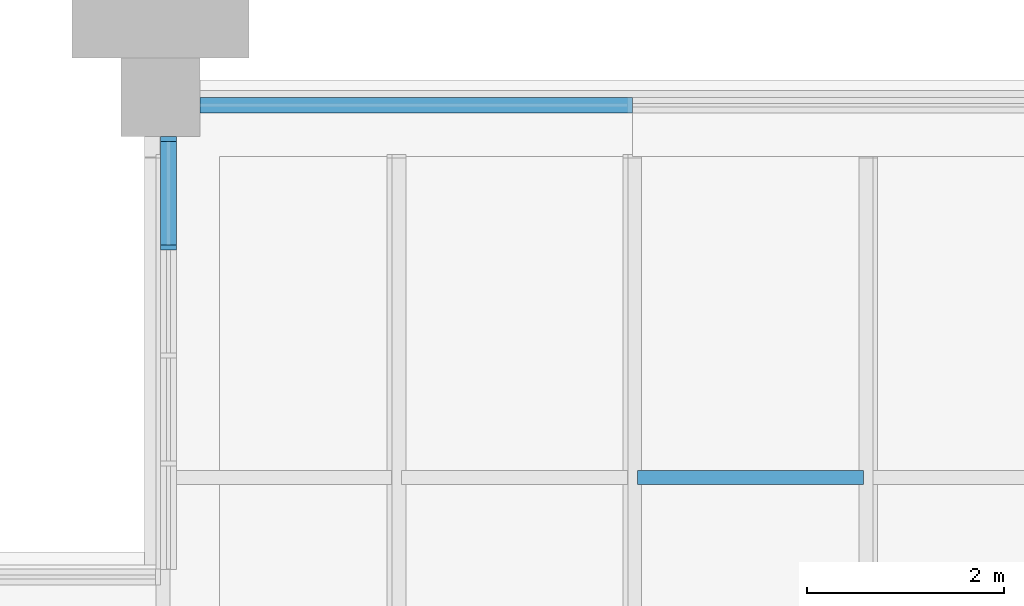
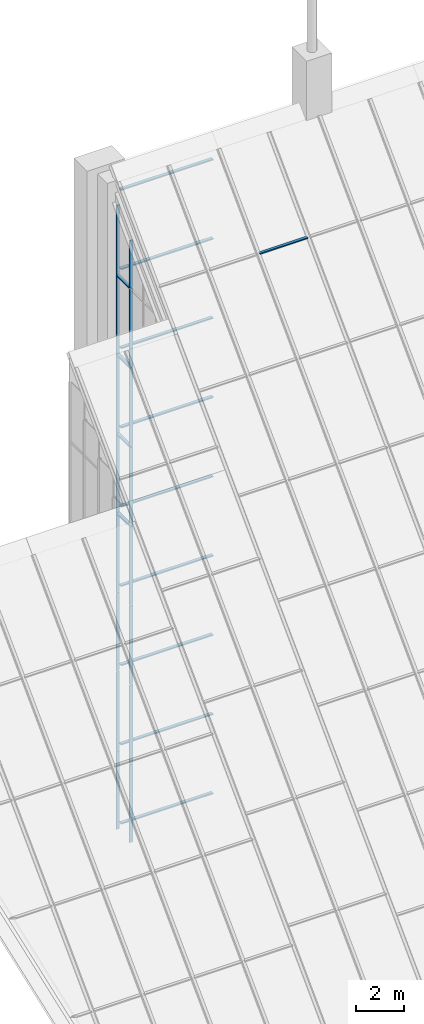
# One storey, part 8 of 25: 30 members, 26 elements without a shape of their own.
"""IFC4 building model written with IfcOpenShell, lengths in metres."""

from ifc_helpers import new_model, si_unit, direction, frame, origin, origin_2d, place, context, subcontext, project, spatial, rectangle, extrude, material, material_profile, profile_set, type_object, element, aggregate, save


model = new_model("IFC4")

# Units and contexts
model_context = context("Model", 3, precision=1e-05, world=origin(), true_north=direction((0.0, 1.0)))
body_context = subcontext(model_context, "Body", "Model", "MODEL_VIEW")
ifc_project = project(units=[si_unit("LENGTHUNIT", "METRE"), si_unit("AREAUNIT", "SQUARE_METRE"), si_unit("VOLUMEUNIT", "CUBIC_METRE"), si_unit("PLANEANGLEUNIT", "RADIAN"), si_unit("MASSUNIT", "GRAM", prefix="KILO")], contexts=[model_context])

# Site, building, storey
site_placement = place(None, origin())
site = spatial("IfcSite", under=ifc_project, at=site_placement, CompositionType="ELEMENT")
building_placement = place(site_placement, origin())
building = spatial("IfcBuilding", under=site, at=building_placement, Name="Baori Bourse Tower", CompositionType="ELEMENT")
storey_placement = place(building_placement, frame((0.0, 0.0, 378.300048828125)))
storey = spatial("IfcBuildingStorey", under=building, at=storey_placement, Name="Roof", CompositionType="ELEMENT", Elevation=378.300048828125)

# Curtain wall, member
ifc_material_1 = material(Name="Pale anodised aluminium", Category="aluminium")
curtain_wall_type_1 = type_object("IfcCurtainWallType", Name="CW3 Curtain wall", PredefinedType="NOTDEFINED", material=ifc_material_1)
curtain_wall_1_placement = place(storey_placement, origin())
curtain_wall_1 = element("IfcCurtainWall", 1, at=curtain_wall_1_placement, inside=storey, type_object=curtain_wall_type_1, Name="Curtain wall CW3 Roof 101", PredefinedType="NOTDEFINED")
ifc_material_2 = material(Name="Pale anodised aluminium", Category="aluminium")
ifc_material_profile_1 = material_profile(ifc_material_2, rectangle(XDim=0.159912109375, YDim=0.050048828125, at=origin_2d()), Name="Mullion 50x160")
ifc_profile_set_1 = profile_set([ifc_material_profile_1], Name="Pale anodised aluminium")
member_type_1 = type_object("IfcMemberType", Name="CW3 Curtain wall mullion", PredefinedType="MULLION", material=ifc_profile_set_1)
member_1_placement = place(storey_placement, frame((19.280029296875, 47.574951171875, -0.18994140625), z_axis=(0.0, 0.0, 1.0), x_axis=(1.0, 0.0, 0.0)))
member_1 = element("IfcMember", 2, at=member_1_placement, type_object=member_type_1, Name="Curtain wall CW3 mullion", PredefinedType="MULLION", context=body_context, shape_type="SweptSolid", body=[
    extrude(rectangle(XDim=0.159912109375, YDim=0.050048828125, at=origin_2d()), origin(), (0.0, 0.0, 1.0), 3.93994140625),
])
aggregate(curtain_wall_1, [member_1])

curtain_wall_2_placement = place(storey_placement, origin())
curtain_wall_2 = element("IfcCurtainWall", 3, at=curtain_wall_2_placement, inside=storey, type_object=curtain_wall_type_1, Name="Curtain wall CW3 Roof 102", PredefinedType="NOTDEFINED")
member_2_placement = place(storey_placement, frame((19.280029296875, 47.574951171875, 3.81005859375), z_axis=(0.0, 0.0, 1.0), x_axis=(1.0, 0.0, 0.0)))
member_2 = element("IfcMember", 4, at=member_2_placement, type_object=member_type_1, Name="Curtain wall CW3 mullion", PredefinedType="MULLION", context=body_context, shape_type="SweptSolid", body=[
    extrude(rectangle(XDim=0.159912109375, YDim=0.050048828125, at=origin_2d()), origin(), (0.0, 0.0, 1.0), 3.93994140625),
])
aggregate(curtain_wall_2, [member_2])

curtain_wall_3_placement = place(storey_placement, origin())
curtain_wall_3 = element("IfcCurtainWall", 5, at=curtain_wall_3_placement, inside=storey, type_object=curtain_wall_type_1, Name="Curtain wall CW3 Roof 103", PredefinedType="NOTDEFINED")
member_3_placement = place(storey_placement, frame((19.280029296875, 47.574951171875, 7.81005859375), z_axis=(0.0, 0.0, 1.0), x_axis=(1.0, 0.0, 0.0)))
member_3 = element("IfcMember", 6, at=member_3_placement, type_object=member_type_1, Name="Curtain wall CW3 mullion", PredefinedType="MULLION", context=body_context, shape_type="SweptSolid", body=[
    extrude(rectangle(XDim=0.159912109375, YDim=0.050048828125, at=origin_2d()), origin(), (0.0, 0.0, 1.0), 3.93994140625),
])
aggregate(curtain_wall_3, [member_3])

curtain_wall_4_placement = place(storey_placement, origin())
curtain_wall_4 = element("IfcCurtainWall", 7, at=curtain_wall_4_placement, inside=storey, type_object=curtain_wall_type_1, Name="Curtain wall CW3 Roof 104", PredefinedType="NOTDEFINED")
member_4_placement = place(storey_placement, frame((19.280029296875, 47.574951171875, 11.81005859375), z_axis=(0.0, 0.0, 1.0), x_axis=(1.0, 0.0, 0.0)))
member_4 = element("IfcMember", 8, at=member_4_placement, type_object=member_type_1, Name="Curtain wall CW3 mullion", PredefinedType="MULLION", context=body_context, shape_type="SweptSolid", body=[
    extrude(rectangle(XDim=0.159912109375, YDim=0.050048828125, at=origin_2d()), origin(), (0.0, 0.0, 1.0), 3.93994140625),
])
aggregate(curtain_wall_4, [member_4])

curtain_wall_5_placement = place(storey_placement, origin())
curtain_wall_5 = element("IfcCurtainWall", 9, at=curtain_wall_5_placement, inside=storey, type_object=curtain_wall_type_1, Name="Curtain wall CW3 Roof 105", PredefinedType="NOTDEFINED")
member_5_placement = place(storey_placement, frame((19.280029296875, 47.574951171875, 15.81005859375), z_axis=(0.0, 0.0, 1.0), x_axis=(1.0, 0.0, 0.0)))
member_5 = element("IfcMember", 10, at=member_5_placement, type_object=member_type_1, Name="Curtain wall CW3 mullion", PredefinedType="MULLION", context=body_context, shape_type="SweptSolid", body=[
    extrude(rectangle(XDim=0.159912109375, YDim=0.050048828125, at=origin_2d()), origin(), (0.0, 0.0, 1.0), 3.93994140625),
])

curtain_wall_6_placement = place(storey_placement, origin())
curtain_wall_6 = element("IfcCurtainWall", 11, at=curtain_wall_6_placement, inside=storey, type_object=curtain_wall_type_1, Name="Curtain wall CW3 Roof 106", PredefinedType="NOTDEFINED")
member_6_placement = place(storey_placement, frame((19.280029296875, 47.574951171875, 19.81005859375), z_axis=(0.0, 0.0, 1.0), x_axis=(1.0, 0.0, 0.0)))
member_6 = element("IfcMember", 12, at=member_6_placement, type_object=member_type_1, Name="Curtain wall CW3 mullion", PredefinedType="MULLION", context=body_context, shape_type="SweptSolid", body=[
    extrude(rectangle(XDim=0.159912109375, YDim=0.050048828125, at=origin_2d()), origin(), (0.0, 0.0, 1.0), 3.93994140625),
])

curtain_wall_7_placement = place(storey_placement, origin())
curtain_wall_7 = element("IfcCurtainWall", 13, at=curtain_wall_7_placement, inside=storey, type_object=curtain_wall_type_1, Name="Curtain wall CW3 Roof 107", PredefinedType="NOTDEFINED")
member_7_placement = place(storey_placement, frame((19.280029296875, 47.574951171875, 23.81005859375), z_axis=(0.0, 0.0, 1.0), x_axis=(1.0, 0.0, 0.0)))
member_7 = element("IfcMember", 14, at=member_7_placement, type_object=member_type_1, Name="Curtain wall CW3 mullion", PredefinedType="MULLION", context=body_context, shape_type="SweptSolid", body=[
    extrude(rectangle(XDim=0.159912109375, YDim=0.050048828125, at=origin_2d()), origin(), (0.0, 0.0, 1.0), 3.93994140625),
])

curtain_wall_8_placement = place(storey_placement, origin())
curtain_wall_8 = element("IfcCurtainWall", 15, at=curtain_wall_8_placement, inside=storey, type_object=curtain_wall_type_1, Name="Curtain wall CW3 Roof 108", PredefinedType="NOTDEFINED")
member_8_placement = place(storey_placement, frame((19.280029296875, 47.574951171875, 27.81005859375), z_axis=(0.0, 0.0, 1.0), x_axis=(1.0, 0.0, 0.0)))
member_8 = element("IfcMember", 16, at=member_8_placement, type_object=member_type_1, Name="Curtain wall CW3 mullion", PredefinedType="MULLION", context=body_context, shape_type="SweptSolid", body=[
    extrude(rectangle(XDim=0.159912109375, YDim=0.050048828125, at=origin_2d()), origin(), (0.0, 0.0, 1.0), 3.501220703125),
])

curtain_wall_9_placement = place(storey_placement, origin())
curtain_wall_9 = element("IfcCurtainWall", 17, at=curtain_wall_9_placement, inside=storey, type_object=curtain_wall_type_1, Name="Curtain wall CW3 Roof 109", PredefinedType="NOTDEFINED")
member_9_placement = place(storey_placement, frame((19.280029296875, 46.47509765625, -0.18994140625), z_axis=(0.0, 0.0, 1.0), x_axis=(1.0, 0.0, 0.0)))
member_9 = element("IfcMember", 18, at=member_9_placement, type_object=member_type_1, Name="Curtain wall CW3 mullion", PredefinedType="MULLION", context=body_context, shape_type="SweptSolid", body=[
    extrude(rectangle(XDim=0.159912109375, YDim=0.050048828125, at=origin_2d()), origin(), (0.0, 0.0, 1.0), 3.93994140625),
])
aggregate(curtain_wall_9, [member_9])

curtain_wall_10_placement = place(storey_placement, origin())
curtain_wall_10 = element("IfcCurtainWall", 19, at=curtain_wall_10_placement, inside=storey, type_object=curtain_wall_type_1, Name="Curtain wall CW3 Roof 110", PredefinedType="NOTDEFINED")
member_10_placement = place(storey_placement, frame((19.280029296875, 46.47509765625, 3.81005859375), z_axis=(0.0, 0.0, 1.0), x_axis=(1.0, 0.0, 0.0)))
member_10 = element("IfcMember", 20, at=member_10_placement, type_object=member_type_1, Name="Curtain wall CW3 mullion", PredefinedType="MULLION", context=body_context, shape_type="SweptSolid", body=[
    extrude(rectangle(XDim=0.159912109375, YDim=0.050048828125, at=origin_2d()), origin(), (0.0, 0.0, 1.0), 3.93994140625),
])
aggregate(curtain_wall_10, [member_10])

curtain_wall_11_placement = place(storey_placement, origin())
curtain_wall_11 = element("IfcCurtainWall", 21, at=curtain_wall_11_placement, inside=storey, type_object=curtain_wall_type_1, Name="Curtain wall CW3 Roof 111", PredefinedType="NOTDEFINED")
member_11_placement = place(storey_placement, frame((19.280029296875, 46.47509765625, 7.81005859375), z_axis=(0.0, 0.0, 1.0), x_axis=(1.0, 0.0, 0.0)))
member_11 = element("IfcMember", 22, at=member_11_placement, type_object=member_type_1, Name="Curtain wall CW3 mullion", PredefinedType="MULLION", context=body_context, shape_type="SweptSolid", body=[
    extrude(rectangle(XDim=0.159912109375, YDim=0.050048828125, at=origin_2d()), origin(), (0.0, 0.0, 1.0), 3.93994140625),
])
aggregate(curtain_wall_11, [member_11])

curtain_wall_12_placement = place(storey_placement, origin())
curtain_wall_12 = element("IfcCurtainWall", 23, at=curtain_wall_12_placement, inside=storey, type_object=curtain_wall_type_1, Name="Curtain wall CW3 Roof 112", PredefinedType="NOTDEFINED")
member_12_placement = place(storey_placement, frame((19.280029296875, 46.47509765625, 11.81005859375), z_axis=(0.0, 0.0, 1.0), x_axis=(1.0, 0.0, 0.0)))
member_12 = element("IfcMember", 24, at=member_12_placement, type_object=member_type_1, Name="Curtain wall CW3 mullion", PredefinedType="MULLION", context=body_context, shape_type="SweptSolid", body=[
    extrude(rectangle(XDim=0.159912109375, YDim=0.050048828125, at=origin_2d()), origin(), (0.0, 0.0, 1.0), 3.93994140625),
])
aggregate(curtain_wall_12, [member_12])

curtain_wall_13_placement = place(storey_placement, origin())
curtain_wall_13 = element("IfcCurtainWall", 25, at=curtain_wall_13_placement, inside=storey, type_object=curtain_wall_type_1, Name="Curtain wall CW3 Roof 113", PredefinedType="NOTDEFINED")
member_13_placement = place(storey_placement, frame((19.280029296875, 46.47509765625, 15.81005859375), z_axis=(0.0, 0.0, 1.0), x_axis=(1.0, 0.0, 0.0)))
member_13 = element("IfcMember", 26, at=member_13_placement, type_object=member_type_1, Name="Curtain wall CW3 mullion", PredefinedType="MULLION", context=body_context, shape_type="SweptSolid", body=[
    extrude(rectangle(XDim=0.159912109375, YDim=0.050048828125, at=origin_2d()), origin(), (0.0, 0.0, 1.0), 3.93994140625),
])
aggregate(curtain_wall_13, [member_13])

curtain_wall_14_placement = place(storey_placement, origin())
curtain_wall_14 = element("IfcCurtainWall", 27, at=curtain_wall_14_placement, inside=storey, type_object=curtain_wall_type_1, Name="Curtain wall CW3 Roof 114", PredefinedType="NOTDEFINED")
member_14_placement = place(storey_placement, frame((19.280029296875, 46.47509765625, 19.81005859375), z_axis=(0.0, 0.0, 1.0), x_axis=(1.0, 0.0, 0.0)))
member_14 = element("IfcMember", 28, at=member_14_placement, type_object=member_type_1, Name="Curtain wall CW3 mullion", PredefinedType="MULLION", context=body_context, shape_type="SweptSolid", body=[
    extrude(rectangle(XDim=0.159912109375, YDim=0.050048828125, at=origin_2d()), origin(), (0.0, 0.0, 1.0), 3.93994140625),
])
aggregate(curtain_wall_14, [member_14])

curtain_wall_15_placement = place(storey_placement, origin())
curtain_wall_15 = element("IfcCurtainWall", 29, at=curtain_wall_15_placement, inside=storey, type_object=curtain_wall_type_1, Name="Curtain wall CW3 Roof 115", PredefinedType="NOTDEFINED")
member_15_placement = place(storey_placement, frame((19.280029296875, 46.47509765625, 23.81005859375), z_axis=(0.0, 0.0, 1.0), x_axis=(1.0, 0.0, 0.0)))
member_15 = element("IfcMember", 30, at=member_15_placement, type_object=member_type_1, Name="Curtain wall CW3 mullion", PredefinedType="MULLION", context=body_context, shape_type="SweptSolid", body=[
    extrude(rectangle(XDim=0.159912109375, YDim=0.050048828125, at=origin_2d()), origin(), (0.0, 0.0, 1.0), 3.93994140625),
])
aggregate(curtain_wall_15, [member_15])

curtain_wall_16_placement = place(storey_placement, origin())
curtain_wall_16 = element("IfcCurtainWall", 31, at=curtain_wall_16_placement, inside=storey, type_object=curtain_wall_type_1, Name="Curtain wall CW3 Roof 116", PredefinedType="NOTDEFINED")
member_16_placement = place(storey_placement, frame((19.280029296875, 46.47509765625, 27.81005859375), z_axis=(0.0, 0.0, 1.0), x_axis=(1.0, 0.0, 0.0)))
member_16 = element("IfcMember", 32, at=member_16_placement, type_object=member_type_1, Name="Curtain wall CW3 mullion", PredefinedType="MULLION", context=body_context, shape_type="SweptSolid", body=[
    extrude(rectangle(XDim=0.159912109375, YDim=0.050048828125, at=origin_2d()), origin(), (0.0, 0.0, 1.0), 2.387451171875),
])
aggregate(curtain_wall_16, [member_16])

curtain_wall_17_placement = place(storey_placement, origin())
curtain_wall_17 = element("IfcCurtainWall", 33, at=curtain_wall_17_placement, inside=storey, type_object=curtain_wall_type_1, Name="Curtain wall CW3 Roof 92", PredefinedType="NOTDEFINED")
ifc_material_3 = material(Name="Pale anodised aluminium", Category="aluminium")
ifc_material_profile_2 = material_profile(ifc_material_3, rectangle(XDim=0.159912109375, YDim=0.06005859375, at=origin_2d()), Name="Transom 60x160")
ifc_profile_set_2 = profile_set([ifc_material_profile_2], Name="Pale anodised aluminium")
member_type_2 = type_object("IfcMemberType", Name="CW3 Curtain wall transom", PredefinedType="USERDEFINED", material=ifc_profile_set_2)
member_17_placement = place(storey_placement, frame((24.0, 47.919921875, -0.219970703125), z_axis=(-1.0, 0.0, 0.0), x_axis=(0.0, -1.0, 0.0)))
member_17 = element("IfcMember", 34, at=member_17_placement, type_object=member_type_2, Name="Curtain wall CW3 sill rail", ObjectType="TRANSOM", PredefinedType="USERDEFINED", context=body_context, shape_type="SweptSolid", body=[
    extrude(rectangle(XDim=0.159912109375, YDim=0.06005859375, at=origin_2d()), origin(), (0.0, 0.0, 1.0), 4.39990234375),
])
aggregate(curtain_wall_17, [member_17])

curtain_wall_18_placement = place(storey_placement, origin())
curtain_wall_18 = element("IfcCurtainWall", 35, at=curtain_wall_18_placement, inside=storey, type_object=curtain_wall_type_1, Name="Curtain wall CW3 Roof 93", PredefinedType="NOTDEFINED")
member_18_placement = place(storey_placement, frame((24.0, 47.919921875, 3.780029296875), z_axis=(-1.0, 0.0, 0.0), x_axis=(0.0, -1.0, 0.0)))
member_18 = element("IfcMember", 36, at=member_18_placement, type_object=member_type_2, Name="Curtain wall CW3 sill rail", ObjectType="TRANSOM", PredefinedType="USERDEFINED", context=body_context, shape_type="SweptSolid", body=[
    extrude(rectangle(XDim=0.159912109375, YDim=0.06005859375, at=origin_2d()), origin(), (0.0, 0.0, 1.0), 4.39990234375),
])
aggregate(curtain_wall_18, [member_18])

curtain_wall_19_placement = place(storey_placement, origin())
curtain_wall_19 = element("IfcCurtainWall", 37, at=curtain_wall_19_placement, inside=storey, type_object=curtain_wall_type_1, Name="Curtain wall CW3 Roof 94", PredefinedType="NOTDEFINED")
member_19_placement = place(storey_placement, frame((24.0, 47.919921875, 7.780029296875), z_axis=(-1.0, 0.0, 0.0), x_axis=(0.0, -1.0, 0.0)))
member_19 = element("IfcMember", 38, at=member_19_placement, type_object=member_type_2, Name="Curtain wall CW3 sill rail", ObjectType="TRANSOM", PredefinedType="USERDEFINED", context=body_context, shape_type="SweptSolid", body=[
    extrude(rectangle(XDim=0.159912109375, YDim=0.06005859375, at=origin_2d()), origin(), (0.0, 0.0, 1.0), 4.39990234375),
])
aggregate(curtain_wall_19, [member_19])

curtain_wall_20_placement = place(storey_placement, origin())
curtain_wall_20 = element("IfcCurtainWall", 39, at=curtain_wall_20_placement, inside=storey, type_object=curtain_wall_type_1, Name="Curtain wall CW3 Roof 95", PredefinedType="NOTDEFINED")
member_20_placement = place(storey_placement, frame((24.0, 47.919921875, 11.780029296875), z_axis=(-1.0, 0.0, 0.0), x_axis=(0.0, -1.0, 0.0)))
member_20 = element("IfcMember", 40, at=member_20_placement, type_object=member_type_2, Name="Curtain wall CW3 sill rail", ObjectType="TRANSOM", PredefinedType="USERDEFINED", context=body_context, shape_type="SweptSolid", body=[
    extrude(rectangle(XDim=0.159912109375, YDim=0.06005859375, at=origin_2d()), origin(), (0.0, 0.0, 1.0), 4.39990234375),
])
aggregate(curtain_wall_20, [member_20])

curtain_wall_21_placement = place(storey_placement, origin())
curtain_wall_21 = element("IfcCurtainWall", 41, at=curtain_wall_21_placement, inside=storey, type_object=curtain_wall_type_1, Name="Curtain wall CW3 Roof 96", PredefinedType="NOTDEFINED")
member_21_placement = place(storey_placement, frame((24.0, 47.919921875, 15.780029296875), z_axis=(-1.0, 0.0, 0.0), x_axis=(0.0, -1.0, 0.0)))
member_21 = element("IfcMember", 42, at=member_21_placement, type_object=member_type_2, Name="Curtain wall CW3 sill rail", ObjectType="TRANSOM", PredefinedType="USERDEFINED", context=body_context, shape_type="SweptSolid", body=[
    extrude(rectangle(XDim=0.159912109375, YDim=0.06005859375, at=origin_2d()), origin(), (0.0, 0.0, 1.0), 4.39990234375),
])
aggregate(curtain_wall_21, [member_21])

curtain_wall_22_placement = place(storey_placement, origin())
curtain_wall_22 = element("IfcCurtainWall", 43, at=curtain_wall_22_placement, inside=storey, type_object=curtain_wall_type_1, Name="Curtain wall CW3 Roof 97", PredefinedType="NOTDEFINED")
member_22_placement = place(storey_placement, frame((24.0, 47.919921875, 19.780029296875), z_axis=(-1.0, 0.0, 0.0), x_axis=(0.0, -1.0, 0.0)))
member_22 = element("IfcMember", 44, at=member_22_placement, type_object=member_type_2, Name="Curtain wall CW3 sill rail", ObjectType="TRANSOM", PredefinedType="USERDEFINED", context=body_context, shape_type="SweptSolid", body=[
    extrude(rectangle(XDim=0.159912109375, YDim=0.06005859375, at=origin_2d()), origin(), (0.0, 0.0, 1.0), 4.39990234375),
])
aggregate(curtain_wall_22, [member_22])

curtain_wall_23_placement = place(storey_placement, origin())
curtain_wall_23 = element("IfcCurtainWall", 45, at=curtain_wall_23_placement, inside=storey, type_object=curtain_wall_type_1, Name="Curtain wall CW3 Roof 98", PredefinedType="NOTDEFINED")
member_23_placement = place(storey_placement, frame((24.0, 47.919921875, 23.780029296875), z_axis=(-1.0, 0.0, 0.0), x_axis=(0.0, -1.0, 0.0)))
member_23 = element("IfcMember", 46, at=member_23_placement, type_object=member_type_2, Name="Curtain wall CW3 sill rail", ObjectType="TRANSOM", PredefinedType="USERDEFINED", context=body_context, shape_type="SweptSolid", body=[
    extrude(rectangle(XDim=0.159912109375, YDim=0.06005859375, at=origin_2d()), origin(), (0.0, 0.0, 1.0), 4.39990234375),
])
aggregate(curtain_wall_23, [member_23])

curtain_wall_24_placement = place(storey_placement, origin())
curtain_wall_24 = element("IfcCurtainWall", 47, at=curtain_wall_24_placement, inside=storey, type_object=curtain_wall_type_1, Name="Curtain wall CW3 Roof 99", PredefinedType="NOTDEFINED")
member_24_placement = place(storey_placement, frame((24.0, 47.919921875, 27.780029296875), z_axis=(-1.0, 0.0, 0.0), x_axis=(0.0, -1.0, 0.0)))
member_24 = element("IfcMember", 48, at=member_24_placement, type_object=member_type_2, Name="Curtain wall CW3 sill rail", ObjectType="TRANSOM", PredefinedType="USERDEFINED", context=body_context, shape_type="SweptSolid", body=[
    extrude(rectangle(XDim=0.159912109375, YDim=0.06005859375, at=origin_2d()), origin(), (0.0, 0.0, 1.0), 4.39990234375),
])
aggregate(curtain_wall_24, [member_24])

curtain_wall_25_placement = place(storey_placement, origin())
curtain_wall_25 = element("IfcCurtainWall", 49, at=curtain_wall_25_placement, inside=storey, type_object=curtain_wall_type_1, Name="Curtain wall CW3 Roof 100", PredefinedType="NOTDEFINED")
member_25_placement = place(storey_placement, frame((24.0, 47.919921875, 31.780029296875), z_axis=(-1.0, 0.0, 0.0), x_axis=(0.0, -1.0, 0.0)))
member_25 = element("IfcMember", 50, at=member_25_placement, type_object=member_type_2, Name="Curtain wall CW3 sill rail", ObjectType="TRANSOM", PredefinedType="USERDEFINED", context=body_context, shape_type="SweptSolid", body=[
    extrude(rectangle(XDim=0.159912109375, YDim=0.06005859375, at=origin_2d()), origin(), (0.0, 0.0, 1.0), 4.39990234375),
])
aggregate(curtain_wall_25, [member_25])

# Member
member_26_placement = place(storey_placement, frame((19.280029296875, 47.60009765625, 15.780029296875), z_axis=(0.0, -1.0, 0.0), x_axis=(1.0, 0.0, 0.0)))
member_26 = element("IfcMember", 51, at=member_26_placement, type_object=member_type_2, Name="Curtain wall CW3 sill rail", ObjectType="TRANSOM", PredefinedType="USERDEFINED", context=body_context, shape_type="SweptSolid", body=[
    extrude(rectangle(XDim=0.159912109375, YDim=0.06005859375, at=origin_2d()), origin(), (0.0, 0.0, 1.0), 1.10009765625),
])

aggregate(curtain_wall_5, [member_26, member_5])

member_27_placement = place(storey_placement, frame((19.280029296875, 47.60009765625, 19.780029296875), z_axis=(0.0, -1.0, 0.0), x_axis=(1.0, 0.0, 0.0)))
member_27 = element("IfcMember", 52, at=member_27_placement, type_object=member_type_2, Name="Curtain wall CW3 sill rail", ObjectType="TRANSOM", PredefinedType="USERDEFINED", context=body_context, shape_type="SweptSolid", body=[
    extrude(rectangle(XDim=0.159912109375, YDim=0.06005859375, at=origin_2d()), origin(), (0.0, 0.0, 1.0), 1.10009765625),
])

aggregate(curtain_wall_6, [member_27, member_6])

member_28_placement = place(storey_placement, frame((19.280029296875, 47.60009765625, 23.780029296875), z_axis=(0.0, -1.0, 0.0), x_axis=(1.0, 0.0, 0.0)))
member_28 = element("IfcMember", 53, at=member_28_placement, type_object=member_type_2, Name="Curtain wall CW3 sill rail", ObjectType="TRANSOM", PredefinedType="USERDEFINED", context=body_context, shape_type="SweptSolid", body=[
    extrude(rectangle(XDim=0.159912109375, YDim=0.06005859375, at=origin_2d()), origin(), (0.0, 0.0, 1.0), 1.10009765625),
])

aggregate(curtain_wall_7, [member_28, member_7])

member_29_placement = place(storey_placement, frame((19.280029296875, 47.60009765625, 27.780029296875), z_axis=(0.0, -1.0, 0.0), x_axis=(1.0, 0.0, 0.0)))
member_29 = element("IfcMember", 54, at=member_29_placement, type_object=member_type_2, Name="Curtain wall CW3 sill rail", ObjectType="TRANSOM", PredefinedType="USERDEFINED", context=body_context, shape_type="SweptSolid", body=[
    extrude(rectangle(XDim=0.159912109375, YDim=0.06005859375, at=origin_2d()), origin(), (0.0, 0.0, 1.0), 1.10009765625),
])

aggregate(curtain_wall_8, [member_29, member_8])

# Curtain wall, member
ifc_material_4 = material(Name="Pale anodised aluminium", Category="aluminium")
curtain_wall_type_2 = type_object("IfcCurtainWallType", Name="CW4 Curtain wall", PredefinedType="NOTDEFINED", material=ifc_material_4)
curtain_wall_26_placement = place(storey_placement, origin())
curtain_wall_26 = element("IfcCurtainWall", 55, at=curtain_wall_26_placement, inside=storey, type_object=curtain_wall_type_2, Name="Curtain wall CW4 roof glazing 13", PredefinedType="NOTDEFINED")
ifc_material_5 = material(Name="Pale anodised aluminium", Category="aluminium")
ifc_material_profile_3 = material_profile(ifc_material_5, rectangle(XDim=0.139892578125, YDim=0.054931640625, at=origin_2d()), Name="Transom 55x140")
ifc_profile_set_3 = profile_set([ifc_material_profile_3], Name="Pale anodised aluminium")
member_type_3 = type_object("IfcMemberType", Name="CW4 Curtain wall transom", PredefinedType="USERDEFINED", material=ifc_profile_set_3)
member_30_placement = place(storey_placement, frame((24.050048828125, 44.13232421875, 29.283447265625), z_axis=(1.0, 0.0, 0.0), x_axis=(0.0, 1.0, 0.0)))
member_30 = element("IfcMember", 56, at=member_30_placement, type_object=member_type_3, Name="Curtain wall CW4 cross bar 13.9", ObjectType="TRANSOM", PredefinedType="USERDEFINED", context=body_context, shape_type="SweptSolid", body=[
    extrude(rectangle(XDim=0.139892578125, YDim=0.054931640625, at=origin_2d()), origin(), (0.0, 0.0, 1.0), 2.300048828125),
])
aggregate(curtain_wall_26, [member_30])

save(model, "model.ifc")
